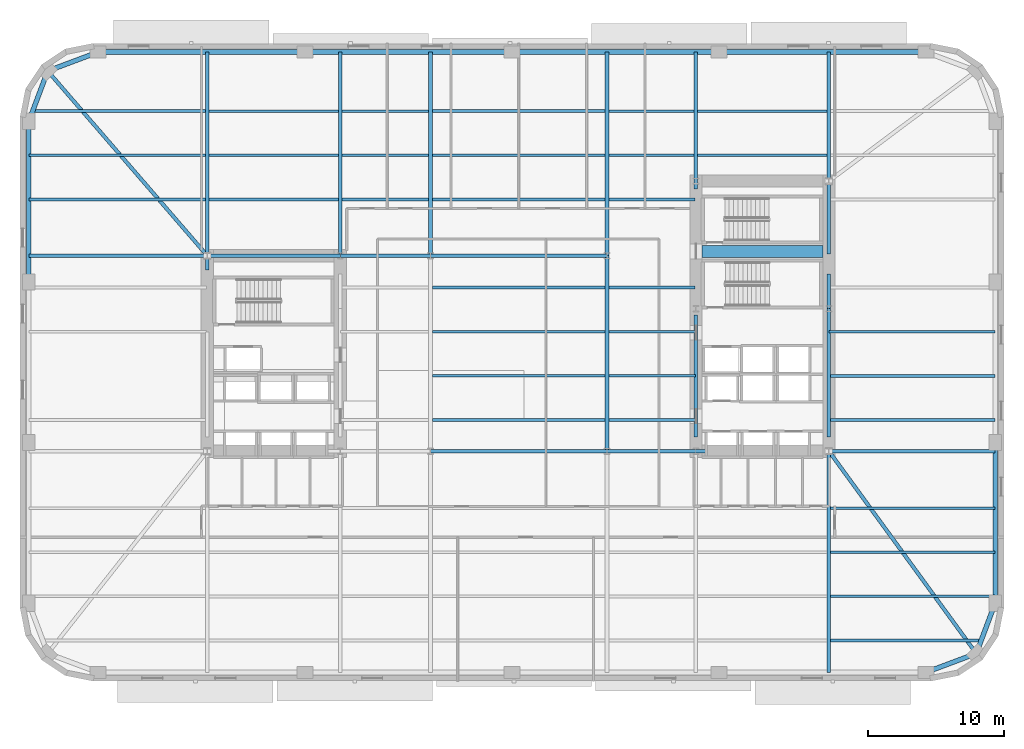
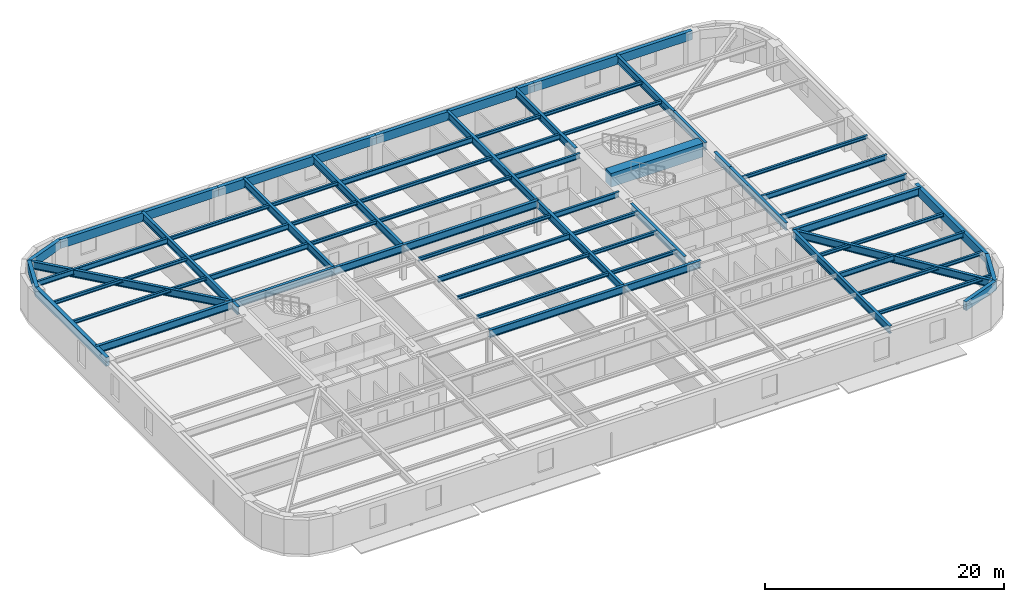
# One storey, part 2 of 15: 64 beams.
"""IFC4 building model written with IfcOpenShell, lengths in metres."""

from ifc_helpers import new_model, si_unit, direction, frame, origin, origin_2d, place, context, subcontext, project, spatial, rectangle, hollow_rectangle, i_section, extrude, material, material_profile, profile_set, type_object, element, save


model = new_model("IFC4")

# Units and contexts
model_context = context("Model", 3, precision=1e-05, world=origin(), true_north=direction((0.0, 1.0)))
body_context = subcontext(model_context, "Body", "Model", "MODEL_VIEW")
ifc_project = project(units=[si_unit("LENGTHUNIT", "METRE"), si_unit("AREAUNIT", "SQUARE_METRE"), si_unit("VOLUMEUNIT", "CUBIC_METRE"), si_unit("PLANEANGLEUNIT", "RADIAN"), si_unit("MASSUNIT", "GRAM", prefix="KILO")], contexts=[model_context])

# Site, building, storey
site_placement = place(None, origin())
site = spatial("IfcSite", under=ifc_project, at=site_placement, CompositionType="ELEMENT")
building_placement = place(site_placement, origin())
building = spatial("IfcBuilding", under=site, at=building_placement, Name="Kolvaren Arena Tower", CompositionType="ELEMENT")
storey_placement = place(building_placement, frame((0.0, 0.0, 68.25)))
storey = spatial("IfcBuildingStorey", under=building, at=storey_placement, Name="L14", CompositionType="ELEMENT", Elevation=68.25)

# Beams
ifc_material_1 = material(Name="Steel CSA G40.21 350W", Category="steel")
ifc_material_profile_1 = material_profile(ifc_material_1, i_section(OverallWidth=0.2119140625, OverallDepth=0.54296875, WebThickness=0.01318359375, FlangeThickness=0.0244140625, FilletRadius=0.013916015625, at=origin_2d()), Name="W530x150")
ifc_profile_set_1 = profile_set([ifc_material_profile_1], Name="Steel CSA G40.21 350W")
beam_type_1 = type_object("IfcBeamType", Name="BEAM-F1", PredefinedType="BEAM", material=ifc_profile_set_1)
beam_1_placement = place(storey_placement, frame((60.485107421875, 12.0, 3.20849609375), z_axis=(1.0, 0.0, 0.0), x_axis=(0.0, 1.0, 0.0)))
element("IfcBeam", 1, at=beam_1_placement, inside=storey, type_object=beam_type_1, Name="Composite Floor Beam (L14)", PredefinedType="BEAM", context=body_context, shape_type="SweptSolid", body=[
    extrude(i_section(OverallWidth=0.2119140625, OverallDepth=0.54296875, WebThickness=0.01318359375, FlangeThickness=0.0244140625, FilletRadius=0.013916015625, at=origin_2d()), origin(), (0.0, 0.0, 1.0), 12.114990234375),
])
for number, where, z_axis, x_axis, name in (
    (2, (60.3701171875, 21.75, 3.20849609375), (1.0, 0.0, 0.0), (0.0, 1.0, 0.0), "Composite Floor Beam (L14)"),
    (3, (60.3701171875, 25.0, 3.20849609375), (1.0, 0.0, 0.0), (0.0, 1.0, 0.0), "Composite Floor Beam (L14)"),
):
    element("IfcBeam", number, at=place(storey_placement, frame(where, z_axis=z_axis, x_axis=x_axis)), inside=storey, type_object=beam_type_1, Name=name, PredefinedType="BEAM", context=body_context, shape_type="SweptSolid", body=[
        extrude(i_section(OverallWidth=0.2119140625, OverallDepth=0.54296875, WebThickness=0.01318359375, FlangeThickness=0.0244140625, FilletRadius=0.013916015625, at=origin_2d()), origin(), (0.0, 0.0, 1.0), 12.22998046875),
    ])
beam_2_placement = place(storey_placement, frame((31.135009765625, 28.25, 3.20849609375), z_axis=(1.0, 0.0, 0.0), x_axis=(0.0, 1.0, 0.0)))
element("IfcBeam", 4, at=beam_2_placement, inside=storey, type_object=beam_type_1, Name="Composite Floor Beam (L14)", PredefinedType="BEAM", context=body_context, shape_type="SweptSolid", body=[
    extrude(i_section(OverallWidth=0.2119140625, OverallDepth=0.54296875, WebThickness=0.01318359375, FlangeThickness=0.0244140625, FilletRadius=0.013916015625, at=origin_2d()), origin(), (0.0, 0.0, 1.0), 12.72998046875),
])
beam_3_placement = place(storey_placement, frame((44.135009765625, 31.5, 3.20849609375), z_axis=(1.0, 0.0, 0.0), x_axis=(0.0, 1.0, 0.0)))
element("IfcBeam", 5, at=beam_3_placement, inside=storey, type_object=beam_type_1, Name="Composite Floor Beam (L14)", PredefinedType="BEAM", context=body_context, shape_type="SweptSolid", body=[
    extrude(i_section(OverallWidth=0.2119140625, OverallDepth=0.54296875, WebThickness=0.01318359375, FlangeThickness=0.0244140625, FilletRadius=0.013916015625, at=origin_2d()), origin(), (0.0, 0.0, 1.0), 6.344970703125),
])
beam_4_placement = place(storey_placement, frame((14.68505859375, 38.0, 3.20849609375), z_axis=(1.0, 0.0, 0.0), x_axis=(0.0, 1.0, 0.0)))
element("IfcBeam", 6, at=beam_4_placement, inside=storey, type_object=beam_type_1, Name="Composite Floor Beam (L14)", PredefinedType="BEAM", context=body_context, shape_type="SweptSolid", body=[
    extrude(i_section(OverallWidth=0.2119140625, OverallDepth=0.54296875, WebThickness=0.01318359375, FlangeThickness=0.0244140625, FilletRadius=0.013916015625, at=origin_2d()), origin(), (0.0, 0.0, 1.0), 9.530029296875),
])
beam_5_placement = place(storey_placement, frame((44.135009765625, 38.0, 3.20849609375), z_axis=(1.0, 0.0, 0.0), x_axis=(0.0, 1.0, 0.0)))
element("IfcBeam", 7, at=beam_5_placement, inside=storey, type_object=beam_type_1, Name="Composite Floor Beam (L14)", PredefinedType="BEAM", context=body_context, shape_type="SweptSolid", body=[
    extrude(i_section(OverallWidth=0.2119140625, OverallDepth=0.54296875, WebThickness=0.01318359375, FlangeThickness=0.0244140625, FilletRadius=0.013916015625, at=origin_2d()), origin(), (0.0, 0.0, 1.0), 6.344970703125),
])
beam_6_placement = place(storey_placement, frame((14.68505859375, 41.25, 3.20849609375), z_axis=(1.0, 0.0, 0.0), x_axis=(0.0, 1.0, 0.0)))
element("IfcBeam", 8, at=beam_6_placement, inside=storey, type_object=beam_type_1, Name="Composite Floor Beam (L14)", PredefinedType="BEAM", context=body_context, shape_type="SweptSolid", body=[
    extrude(i_section(OverallWidth=0.2119140625, OverallDepth=0.54296875, WebThickness=0.01318359375, FlangeThickness=0.0244140625, FilletRadius=0.013916015625, at=origin_2d()), origin(), (0.0, 0.0, 1.0), 9.530029296875),
])
beam_7_placement = place(storey_placement, frame((44.135009765625, 41.25, 3.20849609375), z_axis=(1.0, 0.0, 0.0), x_axis=(0.0, 1.0, 0.0)))
element("IfcBeam", 9, at=beam_7_placement, inside=storey, type_object=beam_type_1, Name="Composite Floor Beam (L14)", PredefinedType="BEAM", context=body_context, shape_type="SweptSolid", body=[
    extrude(i_section(OverallWidth=0.2119140625, OverallDepth=0.54296875, WebThickness=0.01318359375, FlangeThickness=0.0244140625, FilletRadius=0.013916015625, at=origin_2d()), origin(), (0.0, 0.0, 1.0), 6.280029296875),
])
beam_8_placement = place(storey_placement, frame((1.681396484375, 44.5, 3.20849609375), z_axis=(1.0, 0.0, 0.0), x_axis=(0.0, 1.0, 0.0)))
element("IfcBeam", 10, at=beam_8_placement, inside=storey, type_object=beam_type_1, Name="Composite Floor Beam (L14)", PredefinedType="BEAM", context=body_context, shape_type="SweptSolid", body=[
    extrude(i_section(OverallWidth=0.2119140625, OverallDepth=0.54296875, WebThickness=0.01318359375, FlangeThickness=0.0244140625, FilletRadius=0.013916015625, at=origin_2d()), origin(), (0.0, 0.0, 1.0), 12.733642578125),
])
beam_9_placement = place(storey_placement, frame((31.135009765625, 44.5, 3.20849609375), z_axis=(1.0, 0.0, 0.0), x_axis=(0.0, 1.0, 0.0)))
element("IfcBeam", 11, at=beam_9_placement, inside=storey, type_object=beam_type_1, Name="Composite Floor Beam (L14)", PredefinedType="BEAM", context=body_context, shape_type="SweptSolid", body=[
    extrude(i_section(OverallWidth=0.2119140625, OverallDepth=0.54296875, WebThickness=0.01318359375, FlangeThickness=0.0244140625, FilletRadius=0.013916015625, at=origin_2d()), origin(), (0.0, 0.0, 1.0), 12.72998046875),
])
ifc_material_2 = material(Name="Concrete 75 MPa", Category="concrete")
ifc_material_profile_2 = material_profile(ifc_material_2, rectangle(XDim=0.89990234375, YDim=1.39990234375, at=origin_2d()), Name="RC-900x1400")
ifc_profile_set_2 = profile_set([ifc_material_profile_2], Name="Concrete 75 MPa")
beam_type_2 = type_object("IfcBeamType", Name="CB-CORE-1", PredefinedType="BEAM", material=ifc_profile_set_2)
beam_10_placement = place(storey_placement, frame((51.0, 34.14990234375, 3.050048828125), z_axis=(1.0, 0.0, 0.0), x_axis=(0.0, 1.0, 0.0)))
element("IfcBeam", 12, at=beam_10_placement, inside=storey, type_object=beam_type_2, Name="East Core Coupling Beam (L14)", PredefinedType="BEAM", context=body_context, shape_type="SweptSolid", body=[
    extrude(rectangle(XDim=0.89990234375, YDim=1.39990234375, at=origin_2d()), origin(), (0.0, 0.0, 1.0), 8.89990234375),
])
ifc_material_profile_3 = material_profile(ifc_material_1, i_section(OverallWidth=0.27001953125, OverallDepth=0.77294921875, WebThickness=0.019287109375, FlangeThickness=0.033447265625, FilletRadius=0.01806640625, at=origin_2d()), Name="W760x257")
ifc_profile_set_3 = profile_set([ifc_material_profile_3], Name="Steel CSA G40.21 350W")
beam_type_3 = type_object("IfcBeamType", Name="GIRD-T1", PredefinedType="BEAM", material=ifc_profile_set_3)
beam_11_placement = place(storey_placement, frame((71.208740234375, 4.541259765625, 3.093505859375), z_axis=(-0.588737448901, 0.80832432616, 0.0), x_axis=(-0.80832432616, -0.588737448901, 0.0)))
element("IfcBeam", 13, at=beam_11_placement, inside=storey, type_object=beam_type_3, Name="Corner Diagonal Tie Girder (L14)", PredefinedType="BEAM", context=body_context, shape_type="SweptSolid", body=[
    extrude(i_section(OverallWidth=0.27001953125, OverallDepth=0.77294921875, WebThickness=0.019287109375, FlangeThickness=0.033447265625, FilletRadius=0.01806640625, at=origin_2d()), origin(), (0.0, 0.0, 1.0), 18.44384765625),
])
beam_12_placement = place(storey_placement, frame((2.791259765625, 47.458740234375, 3.093505859375), z_axis=(0.653806810332, -0.756661519283, 0.0), x_axis=(0.756661519283, 0.653806810332, 0.0)))
element("IfcBeam", 14, at=beam_12_placement, inside=storey, type_object=beam_type_3, Name="Corner Diagonal Tie Girder (L14)", PredefinedType="BEAM", context=body_context, shape_type="SweptSolid", body=[
    extrude(i_section(OverallWidth=0.27001953125, OverallDepth=0.77294921875, WebThickness=0.019287109375, FlangeThickness=0.033447265625, FilletRadius=0.01806640625, at=origin_2d()), origin(), (0.0, 0.0, 1.0), 17.985107421875),
])
beam_13_placement = place(storey_placement, frame((31.0, 19.449951171875, 3.093505859375), z_axis=(1.0, 0.0, 0.0), x_axis=(0.0, 1.0, 0.0)))
element("IfcBeam", 15, at=beam_13_placement, inside=storey, type_object=beam_type_3, Name="Primary Floor Girder (L14)", PredefinedType="BEAM", context=body_context, shape_type="SweptSolid", body=[
    extrude(i_section(OverallWidth=0.27001953125, OverallDepth=0.77294921875, WebThickness=0.019287109375, FlangeThickness=0.033447265625, FilletRadius=0.01806640625, at=origin_2d()), origin(), (0.0, 0.0, 1.0), 13.0),
])
beam_14_placement = place(storey_placement, frame((44.0, 19.449951171875, 3.093505859375), z_axis=(1.0, 0.0, 0.0), x_axis=(0.0, 1.0, 0.0)))
element("IfcBeam", 16, at=beam_14_placement, inside=storey, type_object=beam_type_3, Name="Primary Floor Girder (L14)", PredefinedType="BEAM", context=body_context, shape_type="SweptSolid", body=[
    extrude(i_section(OverallWidth=0.27001953125, OverallDepth=0.77294921875, WebThickness=0.019287109375, FlangeThickness=0.033447265625, FilletRadius=0.01806640625, at=origin_2d()), origin(), (0.0, 0.0, 1.0), 7.4150390625),
])
beam_15_placement = place(storey_placement, frame((60.35009765625, 19.449951171875, 3.093505859375), z_axis=(1.0, 0.0, 0.0), x_axis=(0.0, 1.0, 0.0)))
element("IfcBeam", 17, at=beam_15_placement, inside=storey, type_object=beam_type_3, Name="Primary Floor Girder (L14)", PredefinedType="BEAM", context=body_context, shape_type="SweptSolid", body=[
    extrude(i_section(OverallWidth=0.27001953125, OverallDepth=0.77294921875, WebThickness=0.019287109375, FlangeThickness=0.033447265625, FilletRadius=0.01806640625, at=origin_2d()), origin(), (0.0, 0.0, 1.0), 12.25),
])
beam_16_placement = place(storey_placement, frame((1.39990234375, 33.85009765625, 3.093505859375), z_axis=(1.0, 0.0, 0.0), x_axis=(0.0, 1.0, 0.0)))
element("IfcBeam", 18, at=beam_16_placement, inside=storey, type_object=beam_type_3, Name="Primary Floor Girder (L14)", PredefinedType="BEAM", context=body_context, shape_type="SweptSolid", body=[
    extrude(i_section(OverallWidth=0.27001953125, OverallDepth=0.77294921875, WebThickness=0.019287109375, FlangeThickness=0.033447265625, FilletRadius=0.01806640625, at=origin_2d()), origin(), (0.0, 0.0, 1.0), 13.150146484375),
])
beam_17_placement = place(storey_placement, frame((14.550048828125, 33.85009765625, 3.093505859375), z_axis=(1.0, 0.0, 0.0), x_axis=(0.0, 1.0, 0.0)))
element("IfcBeam", 19, at=beam_17_placement, inside=storey, type_object=beam_type_3, Name="Primary Floor Girder (L14)", PredefinedType="BEAM", context=body_context, shape_type="SweptSolid", body=[
    extrude(i_section(OverallWidth=0.27001953125, OverallDepth=0.77294921875, WebThickness=0.019287109375, FlangeThickness=0.033447265625, FilletRadius=0.01806640625, at=origin_2d()), origin(), (0.0, 0.0, 1.0), 9.800048828125),
])
beam_18_placement = place(storey_placement, frame((24.35009765625, 33.85009765625, 3.093505859375), z_axis=(1.0, 0.0, 0.0), x_axis=(0.0, 1.0, 0.0)))
element("IfcBeam", 20, at=beam_18_placement, inside=storey, type_object=beam_type_3, Name="Primary Floor Girder (L14)", PredefinedType="BEAM", context=body_context, shape_type="SweptSolid", body=[
    extrude(i_section(OverallWidth=0.27001953125, OverallDepth=0.77294921875, WebThickness=0.019287109375, FlangeThickness=0.033447265625, FilletRadius=0.01806640625, at=origin_2d()), origin(), (0.0, 0.0, 1.0), 6.64990234375),
])
beam_19_placement = place(storey_placement, frame((31.0, 33.85009765625, 3.093505859375), z_axis=(1.0, 0.0, 0.0), x_axis=(0.0, 1.0, 0.0)))
element("IfcBeam", 21, at=beam_19_placement, inside=storey, type_object=beam_type_3, Name="Primary Floor Girder (L14)", PredefinedType="BEAM", context=body_context, shape_type="SweptSolid", body=[
    extrude(i_section(OverallWidth=0.27001953125, OverallDepth=0.77294921875, WebThickness=0.019287109375, FlangeThickness=0.033447265625, FilletRadius=0.01806640625, at=origin_2d()), origin(), (0.0, 0.0, 1.0), 13.0),
])
beam_20_placement = place(storey_placement, frame((14.550048828125, 32.7900390625, 3.093505859375), z_axis=(0.0, 1.0, 0.0), x_axis=(-1.0, 0.0, 0.0)))
element("IfcBeam", 22, at=beam_20_placement, inside=storey, type_object=beam_type_3, Name="Primary Floor Girder (L14)", PredefinedType="BEAM", context=body_context, shape_type="SweptSolid", body=[
    extrude(i_section(OverallWidth=0.27001953125, OverallDepth=0.77294921875, WebThickness=0.019287109375, FlangeThickness=0.033447265625, FilletRadius=0.01806640625, at=origin_2d()), origin(), (0.0, 0.0, 1.0), 16.06005859375),
])
for number, where, z_axis, x_axis, name in (
    (23, (24.35009765625, 33.85009765625, 3.093505859375), (0.0, 1.0, 0.0), (-1.0, 0.0, 0.0), "Primary Floor Girder (L14)"),
    (24, (31.0, 33.85009765625, 3.093505859375), (0.0, 1.0, 0.0), (-1.0, 0.0, 0.0), "Primary Floor Girder (L14)"),
):
    element("IfcBeam", number, at=place(storey_placement, frame(where, z_axis=z_axis, x_axis=x_axis)), inside=storey, type_object=beam_type_3, Name=name, PredefinedType="BEAM", context=body_context, shape_type="SweptSolid", body=[
        extrude(i_section(OverallWidth=0.27001953125, OverallDepth=0.77294921875, WebThickness=0.019287109375, FlangeThickness=0.033447265625, FilletRadius=0.01806640625, at=origin_2d()), origin(), (0.0, 0.0, 1.0), 15.0),
    ])
beam_21_placement = place(storey_placement, frame((44.0, 19.449951171875, 3.093505859375), z_axis=(0.0, 1.0, 0.0), x_axis=(-1.0, 0.0, 0.0)))
element("IfcBeam", 25, at=beam_21_placement, inside=storey, type_object=beam_type_3, Name="Primary Floor Girder (L14)", PredefinedType="BEAM", context=body_context, shape_type="SweptSolid", body=[
    extrude(i_section(OverallWidth=0.27001953125, OverallDepth=0.77294921875, WebThickness=0.019287109375, FlangeThickness=0.033447265625, FilletRadius=0.01806640625, at=origin_2d()), origin(), (0.0, 0.0, 1.0), 14.400146484375),
])
beam_22_placement = place(storey_placement, frame((44.0, 33.85009765625, 3.093505859375), z_axis=(0.0, 1.0, 0.0), x_axis=(-1.0, 0.0, 0.0)))
element("IfcBeam", 26, at=beam_22_placement, inside=storey, type_object=beam_type_3, Name="Primary Floor Girder (L14)", PredefinedType="BEAM", context=body_context, shape_type="SweptSolid", body=[
    extrude(i_section(OverallWidth=0.27001953125, OverallDepth=0.77294921875, WebThickness=0.019287109375, FlangeThickness=0.033447265625, FilletRadius=0.01806640625, at=origin_2d()), origin(), (0.0, 0.0, 1.0), 15.0),
])
beam_23_placement = place(storey_placement, frame((50.550048828125, 20.5, 3.093505859375), z_axis=(0.0, 1.0, 0.0), x_axis=(-1.0, 0.0, 0.0)))
element("IfcBeam", 27, at=beam_23_placement, inside=storey, type_object=beam_type_3, Name="Primary Floor Girder (L14)", PredefinedType="BEAM", context=body_context, shape_type="SweptSolid", body=[
    extrude(i_section(OverallWidth=0.27001953125, OverallDepth=0.77294921875, WebThickness=0.019287109375, FlangeThickness=0.033447265625, FilletRadius=0.01806640625, at=origin_2d()), origin(), (0.0, 0.0, 1.0), 8.989990234375),
])
beam_24_placement = place(storey_placement, frame((50.550048828125, 38.760009765625, 3.093505859375), z_axis=(0.0, 1.0, 0.0), x_axis=(-1.0, 0.0, 0.0)))
element("IfcBeam", 28, at=beam_24_placement, inside=storey, type_object=beam_type_3, Name="Primary Floor Girder (L14)", PredefinedType="BEAM", context=body_context, shape_type="SweptSolid", body=[
    extrude(i_section(OverallWidth=0.27001953125, OverallDepth=0.77294921875, WebThickness=0.019287109375, FlangeThickness=0.033447265625, FilletRadius=0.01806640625, at=origin_2d()), origin(), (0.0, 0.0, 1.0), 10.090087890625),
])
beam_25_placement = place(storey_placement, frame((60.35009765625, 3.14990234375, 3.093505859375), z_axis=(0.0, 1.0, 0.0), x_axis=(-1.0, 0.0, 0.0)))
element("IfcBeam", 29, at=beam_25_placement, inside=storey, type_object=beam_type_3, Name="Primary Floor Girder (L14)", PredefinedType="BEAM", context=body_context, shape_type="SweptSolid", body=[
    extrude(i_section(OverallWidth=0.27001953125, OverallDepth=0.77294921875, WebThickness=0.019287109375, FlangeThickness=0.033447265625, FilletRadius=0.01806640625, at=origin_2d()), origin(), (0.0, 0.0, 1.0), 16.300048828125),
])
beam_26_placement = place(storey_placement, frame((60.35009765625, 20.5, 3.093505859375), z_axis=(0.0, 1.0, 0.0), x_axis=(-1.0, 0.0, 0.0)))
element("IfcBeam", 30, at=beam_26_placement, inside=storey, type_object=beam_type_3, Name="Primary Floor Girder (L14)", PredefinedType="BEAM", context=body_context, shape_type="SweptSolid", body=[
    extrude(i_section(OverallWidth=0.27001953125, OverallDepth=0.77294921875, WebThickness=0.019287109375, FlangeThickness=0.033447265625, FilletRadius=0.01806640625, at=origin_2d()), origin(), (0.0, 0.0, 1.0), 9.449951171875),
])
beam_27_placement = place(storey_placement, frame((60.35009765625, 29.949951171875, 3.093505859375), z_axis=(0.0, 1.0, 0.0), x_axis=(-1.0, 0.0, 0.0)))
element("IfcBeam", 31, at=beam_27_placement, inside=storey, type_object=beam_type_3, Name="Primary Floor Girder (L14)", PredefinedType="BEAM", context=body_context, shape_type="SweptSolid", body=[
    extrude(i_section(OverallWidth=0.27001953125, OverallDepth=0.77294921875, WebThickness=0.019287109375, FlangeThickness=0.033447265625, FilletRadius=0.01806640625, at=origin_2d()), origin(), (0.0, 0.0, 1.0), 2.550048828125),
])
beam_28_placement = place(storey_placement, frame((60.35009765625, 33.985107421875, 3.093505859375), z_axis=(0.0, 1.0, 0.0), x_axis=(-1.0, 0.0, 0.0)))
element("IfcBeam", 32, at=beam_28_placement, inside=storey, type_object=beam_type_3, Name="Primary Floor Girder (L14)", PredefinedType="BEAM", context=body_context, shape_type="SweptSolid", body=[
    extrude(i_section(OverallWidth=0.27001953125, OverallDepth=0.77294921875, WebThickness=0.019287109375, FlangeThickness=0.033447265625, FilletRadius=0.01806640625, at=origin_2d()), origin(), (0.0, 0.0, 1.0), 5.364990234375),
])
beam_29_placement = place(storey_placement, frame((60.35009765625, 39.35009765625, 3.093505859375), z_axis=(0.0, 1.0, 0.0), x_axis=(-1.0, 0.0, 0.0)))
element("IfcBeam", 33, at=beam_29_placement, inside=storey, type_object=beam_type_3, Name="Primary Floor Girder (L14)", PredefinedType="BEAM", context=body_context, shape_type="SweptSolid", body=[
    extrude(i_section(OverallWidth=0.27001953125, OverallDepth=0.77294921875, WebThickness=0.019287109375, FlangeThickness=0.033447265625, FilletRadius=0.01806640625, at=origin_2d()), origin(), (0.0, 0.0, 1.0), 9.5),
])
ifc_material_profile_4 = material_profile(ifc_material_1, i_section(OverallWidth=0.202880859375, OverallDepth=0.346923828125, WebThickness=0.0078125, FlangeThickness=0.013427734375, FilletRadius=0.010986328125, at=origin_2d()), Name="W360x64")
ifc_profile_set_4 = profile_set([ifc_material_profile_4], Name="Steel CSA G40.21 350W")
beam_type_4 = type_object("IfcBeamType", Name="JOIST-01", PredefinedType="JOIST", material=ifc_profile_set_4)
beam_30_placement = place(storey_placement, frame((60.485107421875, 5.5, 3.306396484375), z_axis=(1.0, 0.0, 0.0), x_axis=(0.0, 1.0, 0.0)))
element("IfcBeam", 34, at=beam_30_placement, inside=storey, type_object=beam_type_4, Name="Composite Floor Joist (L14)", PredefinedType="JOIST", context=body_context, shape_type="SweptSolid", body=[
    extrude(i_section(OverallWidth=0.202880859375, OverallDepth=0.346923828125, WebThickness=0.0078125, FlangeThickness=0.013427734375, FilletRadius=0.010986328125, at=origin_2d()), origin(), (0.0, 0.0, 1.0), 11.08349609375),
])
for number, where, z_axis, x_axis, name in (
    (35, (60.485107421875, 8.75, 3.306396484375), (1.0, 0.0, 0.0), (0.0, 1.0, 0.0), "Composite Floor Joist (L14)"),
    (36, (60.485107421875, 15.25, 3.306396484375), (1.0, 0.0, 0.0), (0.0, 1.0, 0.0), "Composite Floor Joist (L14)"),
):
    element("IfcBeam", number, at=place(storey_placement, frame(where, z_axis=z_axis, x_axis=x_axis)), inside=storey, type_object=beam_type_4, Name=name, PredefinedType="JOIST", context=body_context, shape_type="SweptSolid", body=[
        extrude(i_section(OverallWidth=0.202880859375, OverallDepth=0.346923828125, WebThickness=0.0078125, FlangeThickness=0.013427734375, FilletRadius=0.010986328125, at=origin_2d()), origin(), (0.0, 0.0, 1.0), 12.114990234375),
    ])
beam_31_placement = place(storey_placement, frame((31.135009765625, 21.75, 3.306396484375), z_axis=(1.0, 0.0, 0.0), x_axis=(0.0, 1.0, 0.0)))
element("IfcBeam", 37, at=beam_31_placement, inside=storey, type_object=beam_type_4, Name="Composite Floor Joist (L14)", PredefinedType="JOIST", context=body_context, shape_type="SweptSolid", body=[
    extrude(i_section(OverallWidth=0.202880859375, OverallDepth=0.346923828125, WebThickness=0.0078125, FlangeThickness=0.013427734375, FilletRadius=0.010986328125, at=origin_2d()), origin(), (0.0, 0.0, 1.0), 12.72998046875),
])
beam_32_placement = place(storey_placement, frame((44.135009765625, 21.75, 3.306396484375), z_axis=(1.0, 0.0, 0.0), x_axis=(0.0, 1.0, 0.0)))
element("IfcBeam", 38, at=beam_32_placement, inside=storey, type_object=beam_type_4, Name="Composite Floor Joist (L14)", PredefinedType="JOIST", context=body_context, shape_type="SweptSolid", body=[
    extrude(i_section(OverallWidth=0.202880859375, OverallDepth=0.346923828125, WebThickness=0.0078125, FlangeThickness=0.013427734375, FilletRadius=0.010986328125, at=origin_2d()), origin(), (0.0, 0.0, 1.0), 6.39501953125),
])
beam_33_placement = place(storey_placement, frame((31.135009765625, 25.0, 3.306396484375), z_axis=(1.0, 0.0, 0.0), x_axis=(0.0, 1.0, 0.0)))
element("IfcBeam", 39, at=beam_33_placement, inside=storey, type_object=beam_type_4, Name="Composite Floor Joist (L14)", PredefinedType="JOIST", context=body_context, shape_type="SweptSolid", body=[
    extrude(i_section(OverallWidth=0.202880859375, OverallDepth=0.346923828125, WebThickness=0.0078125, FlangeThickness=0.013427734375, FilletRadius=0.010986328125, at=origin_2d()), origin(), (0.0, 0.0, 1.0), 12.72998046875),
])
for number, where, z_axis, x_axis, name in (
    (40, (44.135009765625, 25.0, 3.306396484375), (1.0, 0.0, 0.0), (0.0, 1.0, 0.0), "Composite Floor Joist (L14)"),
    (41, (44.135009765625, 28.25, 3.306396484375), (1.0, 0.0, 0.0), (0.0, 1.0, 0.0), "Composite Floor Joist (L14)"),
):
    element("IfcBeam", number, at=place(storey_placement, frame(where, z_axis=z_axis, x_axis=x_axis)), inside=storey, type_object=beam_type_4, Name=name, PredefinedType="JOIST", context=body_context, shape_type="SweptSolid", body=[
        extrude(i_section(OverallWidth=0.202880859375, OverallDepth=0.346923828125, WebThickness=0.0078125, FlangeThickness=0.013427734375, FilletRadius=0.010986328125, at=origin_2d()), origin(), (0.0, 0.0, 1.0), 6.39501953125),
    ])
beam_34_placement = place(storey_placement, frame((60.3701171875, 28.25, 3.306396484375), z_axis=(1.0, 0.0, 0.0), x_axis=(0.0, 1.0, 0.0)))
element("IfcBeam", 42, at=beam_34_placement, inside=storey, type_object=beam_type_4, Name="Composite Floor Joist (L14)", PredefinedType="JOIST", context=body_context, shape_type="SweptSolid", body=[
    extrude(i_section(OverallWidth=0.202880859375, OverallDepth=0.346923828125, WebThickness=0.0078125, FlangeThickness=0.013427734375, FilletRadius=0.010986328125, at=origin_2d()), origin(), (0.0, 0.0, 1.0), 12.22998046875),
])
beam_35_placement = place(storey_placement, frame((31.135009765625, 31.5, 3.306396484375), z_axis=(1.0, 0.0, 0.0), x_axis=(0.0, 1.0, 0.0)))
element("IfcBeam", 43, at=beam_35_placement, inside=storey, type_object=beam_type_4, Name="Composite Floor Joist (L14)", PredefinedType="JOIST", context=body_context, shape_type="SweptSolid", body=[
    extrude(i_section(OverallWidth=0.202880859375, OverallDepth=0.346923828125, WebThickness=0.0078125, FlangeThickness=0.013427734375, FilletRadius=0.010986328125, at=origin_2d()), origin(), (0.0, 0.0, 1.0), 12.72998046875),
])
beam_36_placement = place(storey_placement, frame((1.39990234375, 38.0, 3.306396484375), z_axis=(1.0, 0.0, 0.0), x_axis=(0.0, 1.0, 0.0)))
element("IfcBeam", 44, at=beam_36_placement, inside=storey, type_object=beam_type_4, Name="Composite Floor Joist (L14)", PredefinedType="JOIST", context=body_context, shape_type="SweptSolid", body=[
    extrude(i_section(OverallWidth=0.202880859375, OverallDepth=0.346923828125, WebThickness=0.0078125, FlangeThickness=0.013427734375, FilletRadius=0.010986328125, at=origin_2d()), origin(), (0.0, 0.0, 1.0), 13.01513671875),
])
beam_37_placement = place(storey_placement, frame((24.485107421875, 38.0, 3.306396484375), z_axis=(1.0, 0.0, 0.0), x_axis=(0.0, 1.0, 0.0)))
element("IfcBeam", 45, at=beam_37_placement, inside=storey, type_object=beam_type_4, Name="Composite Floor Joist (L14)", PredefinedType="JOIST", context=body_context, shape_type="SweptSolid", body=[
    extrude(i_section(OverallWidth=0.202880859375, OverallDepth=0.346923828125, WebThickness=0.0078125, FlangeThickness=0.013427734375, FilletRadius=0.010986328125, at=origin_2d()), origin(), (0.0, 0.0, 1.0), 6.3798828125),
])
beam_38_placement = place(storey_placement, frame((31.135009765625, 38.0, 3.306396484375), z_axis=(1.0, 0.0, 0.0), x_axis=(0.0, 1.0, 0.0)))
element("IfcBeam", 46, at=beam_38_placement, inside=storey, type_object=beam_type_4, Name="Composite Floor Joist (L14)", PredefinedType="JOIST", context=body_context, shape_type="SweptSolid", body=[
    extrude(i_section(OverallWidth=0.202880859375, OverallDepth=0.346923828125, WebThickness=0.0078125, FlangeThickness=0.013427734375, FilletRadius=0.010986328125, at=origin_2d()), origin(), (0.0, 0.0, 1.0), 12.72998046875),
])
beam_39_placement = place(storey_placement, frame((1.39990234375, 41.25, 3.306396484375), z_axis=(1.0, 0.0, 0.0), x_axis=(0.0, 1.0, 0.0)))
element("IfcBeam", 47, at=beam_39_placement, inside=storey, type_object=beam_type_4, Name="Composite Floor Joist (L14)", PredefinedType="JOIST", context=body_context, shape_type="SweptSolid", body=[
    extrude(i_section(OverallWidth=0.202880859375, OverallDepth=0.346923828125, WebThickness=0.0078125, FlangeThickness=0.013427734375, FilletRadius=0.010986328125, at=origin_2d()), origin(), (0.0, 0.0, 1.0), 13.01513671875),
])
beam_40_placement = place(storey_placement, frame((24.485107421875, 41.25, 3.306396484375), z_axis=(1.0, 0.0, 0.0), x_axis=(0.0, 1.0, 0.0)))
element("IfcBeam", 48, at=beam_40_placement, inside=storey, type_object=beam_type_4, Name="Composite Floor Joist (L14)", PredefinedType="JOIST", context=body_context, shape_type="SweptSolid", body=[
    extrude(i_section(OverallWidth=0.202880859375, OverallDepth=0.346923828125, WebThickness=0.0078125, FlangeThickness=0.013427734375, FilletRadius=0.010986328125, at=origin_2d()), origin(), (0.0, 0.0, 1.0), 6.3798828125),
])
beam_41_placement = place(storey_placement, frame((31.135009765625, 41.25, 3.306396484375), z_axis=(1.0, 0.0, 0.0), x_axis=(0.0, 1.0, 0.0)))
element("IfcBeam", 49, at=beam_41_placement, inside=storey, type_object=beam_type_4, Name="Composite Floor Joist (L14)", PredefinedType="JOIST", context=body_context, shape_type="SweptSolid", body=[
    extrude(i_section(OverallWidth=0.202880859375, OverallDepth=0.346923828125, WebThickness=0.0078125, FlangeThickness=0.013427734375, FilletRadius=0.010986328125, at=origin_2d()), origin(), (0.0, 0.0, 1.0), 12.72998046875),
])
for number, where, z_axis, x_axis, name in (
    (50, (50.68505859375, 41.25, 3.306396484375), (1.0, 0.0, 0.0), (0.0, 1.0, 0.0), "Composite Floor Joist (L14)"),
    (51, (14.68505859375, 44.5, 3.306396484375), (1.0, 0.0, 0.0), (0.0, 1.0, 0.0), "Composite Floor Joist (L14)"),
):
    element("IfcBeam", number, at=place(storey_placement, frame(where, z_axis=z_axis, x_axis=x_axis)), inside=storey, type_object=beam_type_4, Name=name, PredefinedType="JOIST", context=body_context, shape_type="SweptSolid", body=[
        extrude(i_section(OverallWidth=0.202880859375, OverallDepth=0.346923828125, WebThickness=0.0078125, FlangeThickness=0.013427734375, FilletRadius=0.010986328125, at=origin_2d()), origin(), (0.0, 0.0, 1.0), 9.530029296875),
    ])
beam_42_placement = place(storey_placement, frame((24.485107421875, 44.5, 3.306396484375), z_axis=(1.0, 0.0, 0.0), x_axis=(0.0, 1.0, 0.0)))
element("IfcBeam", 52, at=beam_42_placement, inside=storey, type_object=beam_type_4, Name="Composite Floor Joist (L14)", PredefinedType="JOIST", context=body_context, shape_type="SweptSolid", body=[
    extrude(i_section(OverallWidth=0.202880859375, OverallDepth=0.346923828125, WebThickness=0.0078125, FlangeThickness=0.013427734375, FilletRadius=0.010986328125, at=origin_2d()), origin(), (0.0, 0.0, 1.0), 6.3798828125),
])
beam_43_placement = place(storey_placement, frame((44.135009765625, 44.5, 3.306396484375), z_axis=(1.0, 0.0, 0.0), x_axis=(0.0, 1.0, 0.0)))
element("IfcBeam", 53, at=beam_43_placement, inside=storey, type_object=beam_type_4, Name="Composite Floor Joist (L14)", PredefinedType="JOIST", context=body_context, shape_type="SweptSolid", body=[
    extrude(i_section(OverallWidth=0.202880859375, OverallDepth=0.346923828125, WebThickness=0.0078125, FlangeThickness=0.013427734375, FilletRadius=0.010986328125, at=origin_2d()), origin(), (0.0, 0.0, 1.0), 6.280029296875),
])
beam_44_placement = place(storey_placement, frame((50.68505859375, 44.5, 3.306396484375), z_axis=(1.0, 0.0, 0.0), x_axis=(0.0, 1.0, 0.0)))
element("IfcBeam", 54, at=beam_44_placement, inside=storey, type_object=beam_type_4, Name="Composite Floor Joist (L14)", PredefinedType="JOIST", context=body_context, shape_type="SweptSolid", body=[
    extrude(i_section(OverallWidth=0.202880859375, OverallDepth=0.346923828125, WebThickness=0.0078125, FlangeThickness=0.013427734375, FilletRadius=0.010986328125, at=origin_2d()), origin(), (0.0, 0.0, 1.0), 9.530029296875),
])
ifc_material_3 = material(Name="Steel CSA G40.21 350WT", Category="steel")
ifc_material_profile_5 = material_profile(ifc_material_3, hollow_rectangle(XDim=0.35009765625, YDim=0.89990234375, WallThickness=0.02001953125, at=origin_2d()), Name="HSS 900x350x20")
ifc_profile_set_5 = profile_set([ifc_material_profile_5], Name="Steel CSA G40.21 350WT")
beam_type_5 = type_object("IfcBeamType", Name="SPAND-01", PredefinedType="SPANDREL", material=ifc_profile_set_5)
for number, where, z_axis, x_axis, name in (
    (55, (67.5, 3.14990234375, 3.030029296875), (0.93628104365, 0.351251771955, 0.0), (-0.351251771955, 0.93628104365, 0.0), "Perimeter Spandrel Beam (L14)"),
    (56, (71.208740234375, 4.541259765625, 3.030029296875), (0.351251771955, 0.93628104365, 0.0), (-0.93628104365, 0.351251771955, 0.0), "Perimeter Spandrel Beam (L14)"),
):
    element("IfcBeam", number, at=place(storey_placement, frame(where, z_axis=z_axis, x_axis=x_axis)), inside=storey, type_object=beam_type_5, Name=name, PredefinedType="SPANDREL", context=body_context, shape_type="SweptSolid", body=[
        extrude(hollow_rectangle(XDim=0.35009765625, YDim=0.89990234375, WallThickness=0.02001953125, at=origin_2d()), origin(), (0.0, 0.0, 1.0), 3.961181640625),
    ])
beam_45_placement = place(storey_placement, frame((72.60009765625, 8.25, 3.030029296875), z_axis=(0.0, 1.0, 0.0), x_axis=(-1.0, 0.0, 0.0)))
element("IfcBeam", 57, at=beam_45_placement, inside=storey, type_object=beam_type_5, Name="Perimeter Spandrel Beam (L14)", PredefinedType="SPANDREL", context=body_context, shape_type="SweptSolid", body=[
    extrude(hollow_rectangle(XDim=0.35009765625, YDim=0.89990234375, WallThickness=0.02001953125, at=origin_2d()), origin(), (0.0, 0.0, 1.0), 11.833251953125),
])
for number, where, z_axis, x_axis, name in (
    (58, (67.5, 48.85009765625, 3.030029296875), (-1.0, 0.0, 0.0), (0.0, -1.0, 0.0), "Perimeter Spandrel Beam (L14)"),
    (59, (52.25, 48.85009765625, 3.030029296875), (-1.0, 0.0, 0.0), (0.0, -1.0, 0.0), "Perimeter Spandrel Beam (L14)"),
    (60, (37.0, 48.85009765625, 3.030029296875), (-1.0, 0.0, 0.0), (0.0, -1.0, 0.0), "Perimeter Spandrel Beam (L14)"),
    (61, (21.75, 48.85009765625, 3.030029296875), (-1.0, 0.0, 0.0), (0.0, -1.0, 0.0), "Perimeter Spandrel Beam (L14)"),
):
    element("IfcBeam", number, at=place(storey_placement, frame(where, z_axis=z_axis, x_axis=x_axis)), inside=storey, type_object=beam_type_5, Name=name, PredefinedType="SPANDREL", context=body_context, shape_type="SweptSolid", body=[
        extrude(hollow_rectangle(XDim=0.35009765625, YDim=0.89990234375, WallThickness=0.02001953125, at=origin_2d()), origin(), (0.0, 0.0, 1.0), 15.25),
    ])
for number, where, z_axis, x_axis, name in (
    (62, (6.5, 48.85009765625, 3.030029296875), (-0.93628104365, -0.351251771955, 0.0), (0.351251771955, -0.93628104365, 0.0), "Perimeter Spandrel Beam (L14)"),
    (63, (2.791259765625, 47.458740234375, 3.030029296875), (-0.351251771955, -0.93628104365, 0.0), (0.93628104365, -0.351251771955, 0.0), "Perimeter Spandrel Beam (L14)"),
):
    element("IfcBeam", number, at=place(storey_placement, frame(where, z_axis=z_axis, x_axis=x_axis)), inside=storey, type_object=beam_type_5, Name=name, PredefinedType="SPANDREL", context=body_context, shape_type="SweptSolid", body=[
        extrude(hollow_rectangle(XDim=0.35009765625, YDim=0.89990234375, WallThickness=0.02001953125, at=origin_2d()), origin(), (0.0, 0.0, 1.0), 3.961181640625),
    ])
beam_46_placement = place(storey_placement, frame((1.39990234375, 43.75, 3.030029296875), z_axis=(0.0, -1.0, 0.0), x_axis=(1.0, 0.0, 0.0)))
element("IfcBeam", 64, at=beam_46_placement, inside=storey, type_object=beam_type_5, Name="Perimeter Spandrel Beam (L14)", PredefinedType="SPANDREL", context=body_context, shape_type="SweptSolid", body=[
    extrude(hollow_rectangle(XDim=0.35009765625, YDim=0.89990234375, WallThickness=0.02001953125, at=origin_2d()), origin(), (0.0, 0.0, 1.0), 11.833251953125),
])

save(model, "model.ifc")
